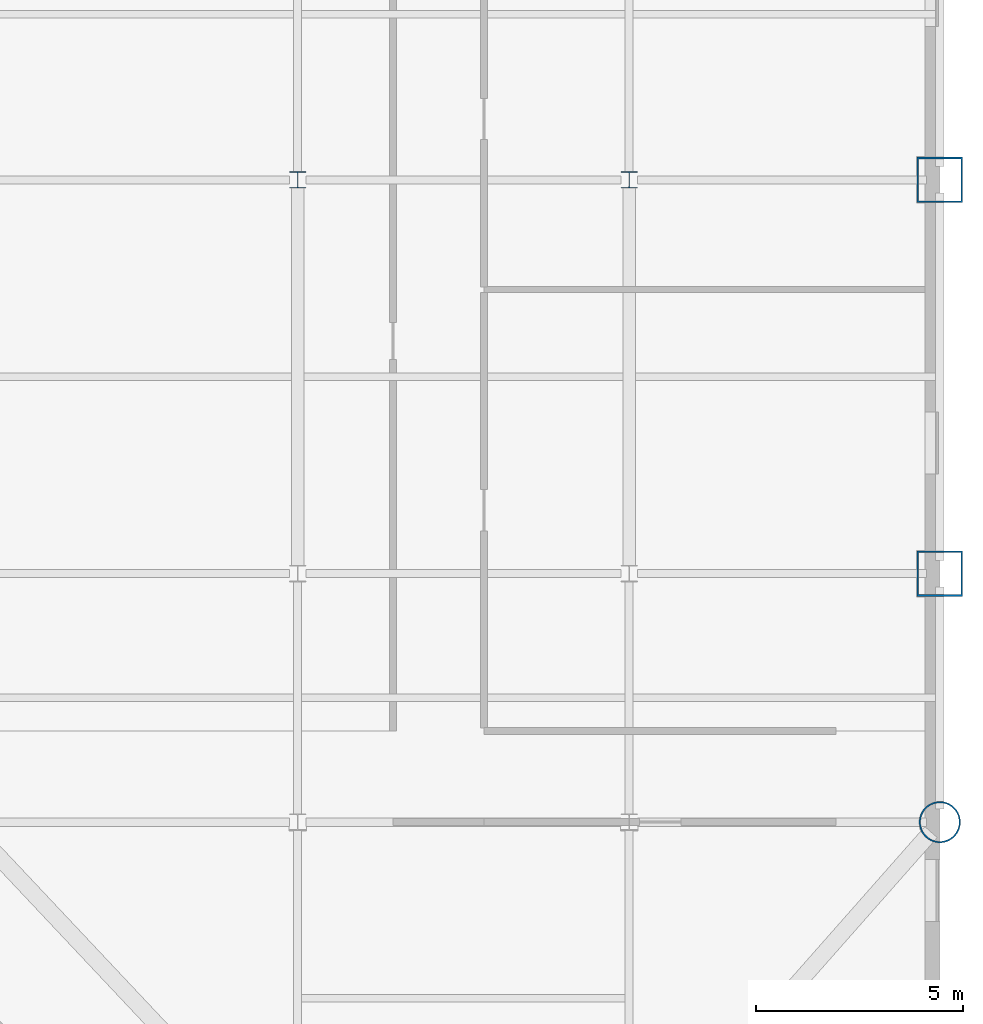
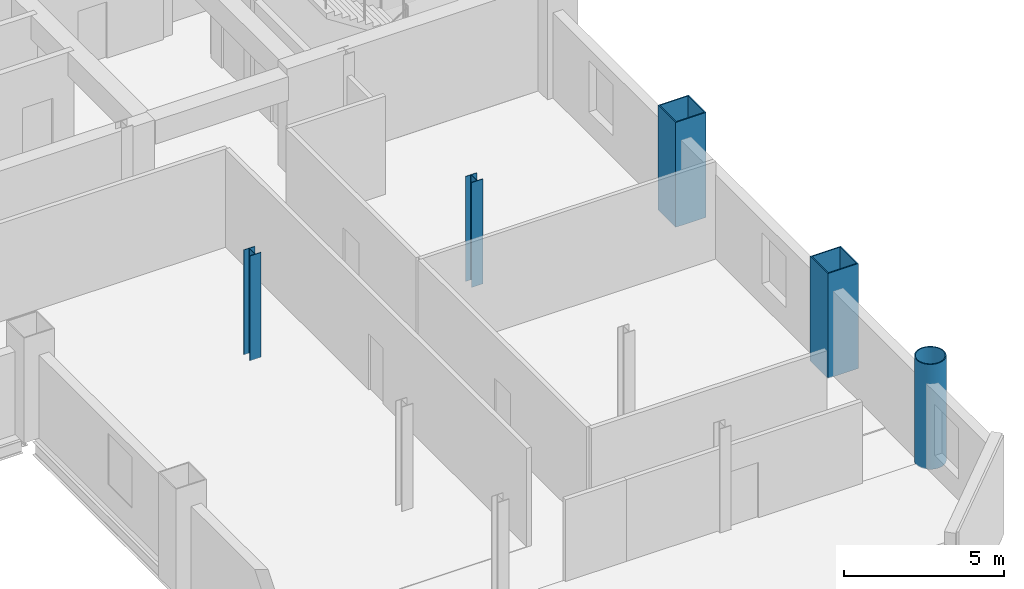
# One storey, part 2 of 10: 5 columns.
"""IFC4 building model written with IfcOpenShell, lengths in metres."""

from ifc_helpers import new_model, si_unit, direction, frame, origin, origin_2d, place, context, subcontext, project, spatial, hollow_rectangle, hollow_circle, i_section, extrude, material, material_profile, profile_set, type_object, element, save


model = new_model("IFC4")

# Units and contexts
model_context = context("Model", 3, precision=1e-05, world=origin(), true_north=direction((0.0, 1.0)))
body_context = subcontext(model_context, "Body", "Model", "MODEL_VIEW")
ifc_project = project(units=[si_unit("LENGTHUNIT", "METRE"), si_unit("AREAUNIT", "SQUARE_METRE"), si_unit("VOLUMEUNIT", "CUBIC_METRE"), si_unit("PLANEANGLEUNIT", "RADIAN"), si_unit("MASSUNIT", "GRAM", prefix="KILO")], contexts=[model_context])

# Site, building, storey
site_placement = place(None, origin())
site = spatial("IfcSite", under=ifc_project, at=site_placement, CompositionType="ELEMENT")
building_placement = place(site_placement, origin())
building = spatial("IfcBuilding", under=site, at=building_placement, Name="Qianrong Seaharbour Tower", CompositionType="ELEMENT")
storey_placement = place(building_placement, frame((0.0, 0.0, 175.0)))
storey = spatial("IfcBuildingStorey", under=building, at=storey_placement, Name="L42", CompositionType="ELEMENT", Elevation=175.0)

# Columns
ifc_material = material(Name="Structural steel SN490B", Category="steel")
ifc_material_profile_1 = material_profile(ifc_material, hollow_rectangle(XDim=1.10009765625, YDim=1.10009765625, WallThickness=0.0400390625, at=origin_2d()), Name="BOX1100x1100x40")
ifc_profile_set_1 = profile_set([ifc_material_profile_1], Name="Structural steel SN490B")
column_type_1 = type_object("IfcColumnType", Name="COL-CFT-1100", PredefinedType="COLUMN", material=ifc_profile_set_1)
for number, where, z_axis, x_axis, name in (
    (1, (64.0, 18.5, 0.0), (0.0, 0.0, 1.0), (1.0, 0.0, 0.0), "L42 Column MC-3 at G9/GD"),
    (2, (64.0, 28.0, 0.0), (0.0, 0.0, 1.0), (1.0, 0.0, 0.0), "L42 Column MC-3 at G9/GE"),
):
    element("IfcColumn", number, at=place(storey_placement, frame(where, z_axis=z_axis, x_axis=x_axis)), inside=storey, type_object=column_type_1, Name=name, PredefinedType="COLUMN", context=body_context, shape_type="SweptSolid", body=[
        extrude(hollow_rectangle(XDim=1.10009765625, YDim=1.10009765625, WallThickness=0.0400390625, at=origin_2d()), origin(), (0.0, 0.0, 1.0), 4.0),
    ])
ifc_material_profile_2 = material_profile(ifc_material, hollow_circle(Radius=0.5, WallThickness=0.035888671875, at=origin_2d()), Name="CHS1000x36")
ifc_profile_set_2 = profile_set([ifc_material_profile_2], Name="Structural steel SN490B")
column_type_2 = type_object("IfcColumnType", Name="COL-CHS-1000", PredefinedType="COLUMN", material=ifc_profile_set_2)
column_placement = place(storey_placement, frame((64.0, 12.5, 0.0), z_axis=(0.0, 0.0, 1.0), x_axis=(1.0, 0.0, 0.0)))
element("IfcColumn", 3, at=column_placement, inside=storey, type_object=column_type_2, Name="L42 Column CC-2 at G9/GC", PredefinedType="COLUMN", context=body_context, shape_type="SweptSolid", body=[
    extrude(hollow_circle(Radius=0.5, WallThickness=0.035888671875, at=origin_2d()), origin(), (0.0, 0.0, 1.0), 4.0),
])
ifc_material_profile_3 = material_profile(ifc_material, i_section(OverallWidth=0.39990234375, OverallDepth=0.39990234375, WebThickness=0.012939453125, FlangeThickness=0.02099609375, FilletRadius=0.02197265625, at=origin_2d()), Name="H400x400x13x21")
ifc_profile_set_3 = profile_set([ifc_material_profile_3], Name="Structural steel SN490B")
column_type_3 = type_object("IfcColumnType", Name="COL-INT-H400", PredefinedType="COLUMN", material=ifc_profile_set_3)
for number, where, z_axis, x_axis, name in (
    (4, (48.5, 28.0, 0.0), (0.0, 0.0, 1.0), (1.0, 0.0, 0.0), "L42 Column IC-3 at G7/GE"),
    (5, (56.5, 28.0, 0.0), (0.0, 0.0, 1.0), (1.0, 0.0, 0.0), "L42 Column IC-3 at G8/GE"),
):
    element("IfcColumn", number, at=place(storey_placement, frame(where, z_axis=z_axis, x_axis=x_axis)), inside=storey, type_object=column_type_3, Name=name, PredefinedType="COLUMN", context=body_context, shape_type="SweptSolid", body=[
        extrude(i_section(OverallWidth=0.39990234375, OverallDepth=0.39990234375, WebThickness=0.012939453125, FlangeThickness=0.02099609375, FilletRadius=0.02197265625, at=origin_2d()), origin(), (0.0, 0.0, 1.0), 4.0),
    ])

save(model, "model.ifc")
